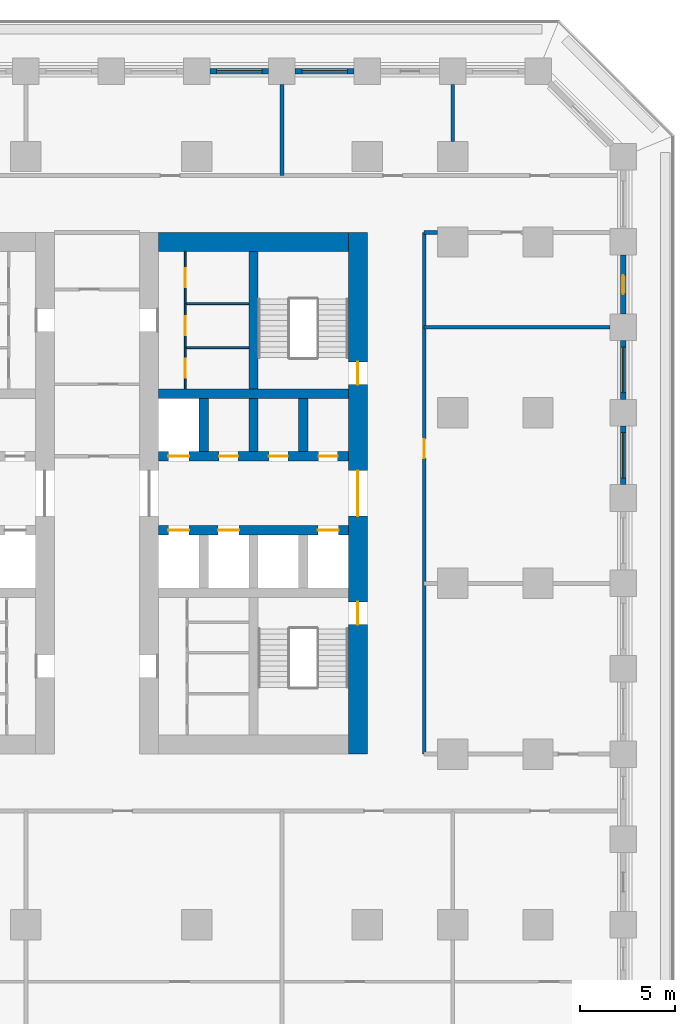
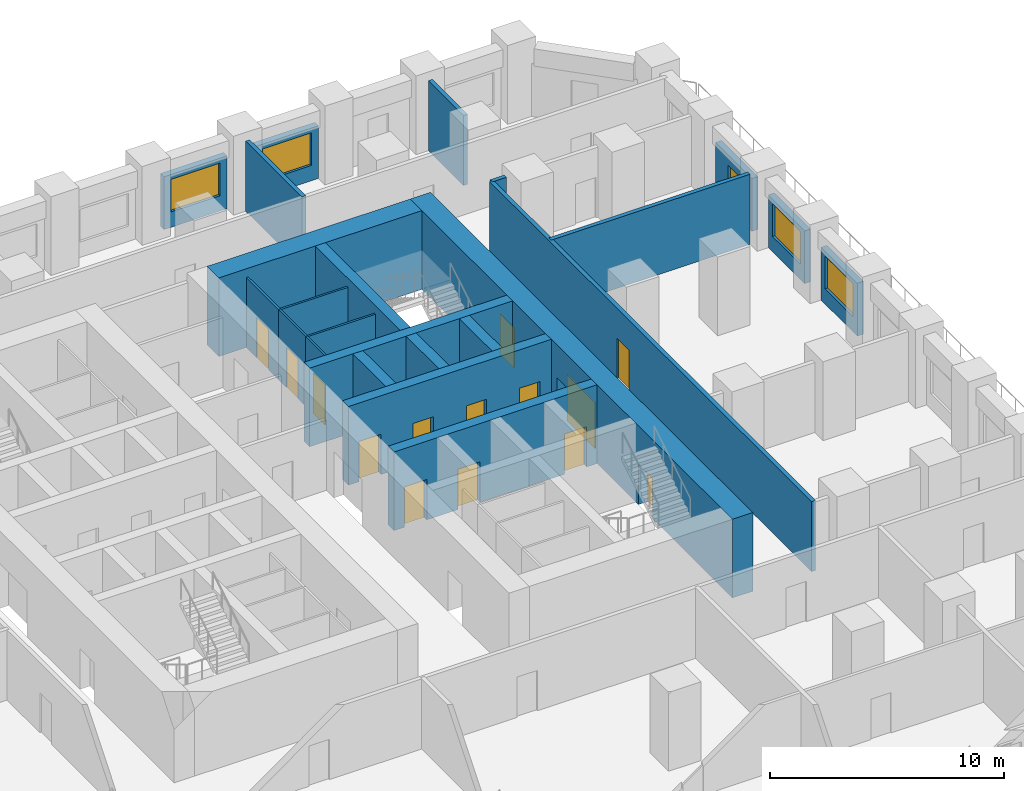
# One storey, part 7 of 11: 24 walls, 15 doors, 4 windows, 19 openings.
"""IFC4 building model written with IfcOpenShell, lengths in metres."""

import ifcopenshell
import ifcopenshell.guid

model = None  # the IFC model being written
_history = None  # IfcOwnerHistory: only IFC2X3 demands one
_inside = {}  # id of a spatial element -> (the spatial element, [elements in it])
_under = {}  # id of a project, library or spatial element -> (it, [spatial elements below it])
_declared = {}  # id of a project -> (the project, [libraries it declares])
_typed = {}  # id of a type object -> (the type object, [elements of that type])
_made_of = {}  # id of a material, layer set ... -> (it, [elements and type objects made of it])


def new_model(schema):
    """Start an empty IFC model of exactly this schema.

    Asked for "IFC4X3", IfcOpenShell would pick the latest addendum, in which some entities
    have other attributes; the version numbers below select the first issue.
    IFC2X3 requires an IfcOwnerHistory on every rooted entity: one is made here for all.
    """
    global model, _history
    if schema == "IFC4X3":
        model = ifcopenshell.file(schema_version=(4, 3, 0, 0))
    else:
        model = ifcopenshell.file(schema=schema)
    _inside.clear()
    _under.clear()
    _declared.clear()
    _typed.clear()
    _made_of.clear()
    _history = None
    if model.schema == "IFC2X3":
        org = make("IfcOrganization", Name="unknown")
        user = make(
            "IfcPersonAndOrganization",
            ThePerson=make("IfcPerson", FamilyName="unknown"),
            TheOrganization=org,
        )
        app = make(
            "IfcApplication",
            ApplicationDeveloper=org,
            Version="unknown",
            ApplicationFullName="unknown",
            ApplicationIdentifier="unknown",
        )
        _history = make(
            "IfcOwnerHistory",
            OwningUser=user,
            OwningApplication=app,
            ChangeAction="ADDED",
            CreationDate=0,
        )
    return model


def make(cls, **values):
    """One entity of the class cls with the attributes given. An attribute that is None is left unset."""
    return model.create_entity(
        cls, **{name: value for name, value in values.items() if value is not None}
    )


def rooted(cls, **values):
    """An entity with a GlobalId (a new one), such as an element, a storey or a relation."""
    return make(cls, GlobalId=ifcopenshell.guid.new(), OwnerHistory=_history, **values)


def si_unit(unit_type, name, prefix=None):
    """IfcSIUnit, for example si_unit("LENGTHUNIT", "METRE", prefix="MILLI")."""
    return make("IfcSIUnit", UnitType=unit_type, Prefix=prefix, Name=name)


def assignment(units):
    """IfcUnitAssignment: the units of a project."""
    return None if units is None else make("IfcUnitAssignment", Units=units)


def point(xyz):
    """IfcCartesianPoint."""
    return None if xyz is None else make("IfcCartesianPoint", Coordinates=xyz)


def direction(xyz):
    """IfcDirection."""
    return None if xyz is None else make("IfcDirection", DirectionRatios=xyz)


def frame(location, z_axis=None, x_axis=None):
    """IfcAxis2Placement3D, a coordinate frame: its origin and axes. An axis left out is left unset."""
    return make(
        "IfcAxis2Placement3D",
        Location=point(location),
        Axis=direction(z_axis),
        RefDirection=direction(x_axis),
    )


def frame_2d(location, x_axis=None):
    """IfcAxis2Placement2D, a coordinate frame in the plane: its origin and x axis."""
    return make(
        "IfcAxis2Placement2D", Location=point(location), RefDirection=direction(x_axis)
    )


def origin():
    """The frame at (0, 0, 0) with its axes left unset."""
    return frame((0.0, 0.0, 0.0))


def place(relative_to, where):
    """IfcLocalPlacement: puts the frame where relative to a parent placement (None: the world)."""
    return make(
        "IfcLocalPlacement", PlacementRelTo=relative_to, RelativePlacement=where
    )


def context(
    kind, dimensions, precision=None, world=None, true_north=None, identifier=None
):
    """IfcGeometricRepresentationContext, for example the 3D "Model" context."""
    return make(
        "IfcGeometricRepresentationContext",
        ContextIdentifier=identifier,
        ContextType=kind,
        CoordinateSpaceDimension=dimensions,
        Precision=precision,
        WorldCoordinateSystem=world,
        TrueNorth=true_north,
    )


def subcontext(parent, identifier, kind, view, scale=None):
    """IfcGeometricRepresentationSubContext, for example "Body" below "Model"."""
    return make(
        "IfcGeometricRepresentationSubContext",
        ContextIdentifier=identifier,
        ContextType=kind,
        ParentContext=parent,
        TargetScale=scale,
        TargetView=view,
    )


def project(units=None, contexts=None):
    """IfcProject with its units and contexts."""
    return rooted(
        "IfcProject",
        Name="project",
        RepresentationContexts=contexts,
        UnitsInContext=assignment(units),
    )


def spatial(cls, under=None, at=None, **own):
    """A site, building, storey or space (cls), placed at a placement, below another one or the project."""
    s = rooted(cls, ObjectPlacement=at, **own)
    if under is not None:
        _under.setdefault(under.id(), (under, []))[1].append(s)
    return s


def profile(cls, at=None, kind="AREA", **sizes):
    """A parametric profile (cls). Its sizes go by their IFC names, for example OverallWidth=200.0."""
    return make(cls, ProfileType=kind, Position=at, **sizes)


def rectangle(**sizes):
    """IfcRectangleProfileDef."""
    return profile("IfcRectangleProfileDef", **sizes)


def extrude(swept, where, along, depth):
    """IfcExtrudedAreaSolid: the profile swept, set in the frame where, extruded along a direction by depth."""
    return make(
        "IfcExtrudedAreaSolid",
        SweptArea=swept,
        Position=where,
        ExtrudedDirection=direction(along),
        Depth=depth,
    )


def shape(context_of_items, identifier, shape_type, items):
    """IfcShapeRepresentation: the items that make up one representation, for example the "Body"."""
    return make(
        "IfcShapeRepresentation",
        ContextOfItems=context_of_items,
        RepresentationIdentifier=identifier,
        RepresentationType=shape_type,
        Items=items,
    )


def material(Name=None, Category=None):
    """IfcMaterial."""
    return make("IfcMaterial", Name=Name, Category=Category)


def layer(
    of_material, thickness, ventilated=None, Name=None, Category=None, Priority=None
):
    """IfcMaterialLayer: one layer of a wall or slab, of a material (None: an air gap)."""
    return make(
        "IfcMaterialLayer",
        Material=of_material,
        LayerThickness=thickness,
        IsVentilated=ventilated,
        Name=Name,
        Category=Category,
        Priority=Priority,
    )


def layer_set(layers, Name=None):
    """IfcMaterialLayerSet."""
    return make("IfcMaterialLayerSet", MaterialLayers=layers, LayerSetName=Name)


def made_of(thing, what):
    """Note that an element or type object is made of a material, layer set ...; save() writes the relation."""
    if what is not None:
        _made_of.setdefault(what.id(), (what, []))[1].append(thing)
    return thing


def type_object(cls, material=None, **own):
    """A type object (cls), such as IfcWallType, which elements share."""
    return made_of(rooted(cls, **own), material)


def element(
    cls,
    number,
    at=None,
    inside=None,
    cuts=None,
    type_object=None,
    material=None,
    context=None,
    identifier="Body",
    shape_type=None,
    held_by="IfcProductDefinitionShape",
    body=None,
    shapes=None,
    **own,
):
    """One element of the class cls, such as IfcWall. Its Tag is "e" and its number.

    at: its placement. inside: the storey or other place that contains it. cuts: it is an
    opening in that element (IfcRelVoidsElement). A single representation is given by context,
    identifier, shape_type and body (its items); several are given by shapes. held_by: the class
    of the entity that holds the representations. save() writes the other relations.
    """
    e = rooted(cls, Tag="e%d" % number, ObjectPlacement=at, **own)
    if body is not None:
        shapes = [shape(context, identifier, shape_type, body)]
    if shapes is not None:
        e.Representation = make(held_by, Representations=shapes)
    if inside is not None:
        _inside.setdefault(inside.id(), (inside, []))[1].append(e)
    if cuts is not None:
        rooted(
            "IfcRelVoidsElement", RelatingBuildingElement=cuts, RelatedOpeningElement=e
        )
    if type_object is not None:
        _typed.setdefault(type_object.id(), (type_object, []))[1].append(e)
    return made_of(e, material)


def fill(opening, filler):
    """IfcRelFillsElement: the door or window that sits in an opening."""
    return rooted(
        "IfcRelFillsElement",
        RelatingOpeningElement=opening,
        RelatedBuildingElement=filler,
    )


def aggregate(whole, parts):
    """IfcRelAggregates: a whole, such as a stair, and the parts it consists of."""
    return rooted("IfcRelAggregates", RelatingObject=whole, RelatedObjects=parts)


def save(model, path):
    """Write the relations noted so far, then the file.

    IfcRelAggregates (storeys below a building ...), IfcRelContainedInSpatialStructure (elements
    in a storey), IfcRelDefinesByType, IfcRelAssociatesMaterial and IfcRelDeclares: one each for
    every whole, place, type object, material and project.
    """
    for whole, parts in _under.values():
        aggregate(whole, parts)
    for where, things in _inside.values():
        rooted(
            "IfcRelContainedInSpatialStructure",
            RelatedElements=things,
            RelatingStructure=where,
        )
    for kind, things in _typed.values():
        rooted("IfcRelDefinesByType", RelatedObjects=things, RelatingType=kind)
    for what, things in _made_of.values():
        rooted("IfcRelAssociatesMaterial", RelatedObjects=things, RelatingMaterial=what)
    for by, libraries in _declared.values():
        rooted("IfcRelDeclares", RelatingContext=by, RelatedDefinitions=libraries)
    model.write(path)


model = new_model("IFC4")

# Units and contexts
model_context = context("Model", 3, precision=1e-05, world=origin(), true_north=direction((0.0, 1.0)))
body_context = subcontext(model_context, "Body", "Model", "MODEL_VIEW")
ifc_project = project(units=[si_unit("LENGTHUNIT", "METRE"), si_unit("AREAUNIT", "SQUARE_METRE"), si_unit("VOLUMEUNIT", "CUBIC_METRE"), si_unit("PLANEANGLEUNIT", "RADIAN"), si_unit("MASSUNIT", "GRAM", prefix="KILO")], contexts=[model_context])

# Site, building, storey
site_placement = place(None, origin())
site = spatial("IfcSite", under=ifc_project, at=site_placement, CompositionType="ELEMENT")
building_placement = place(site_placement, origin())
building = spatial("IfcBuilding", under=site, at=building_placement, Name="Corbel Stack Research Tower", CompositionType="ELEMENT")
storey_placement = place(building_placement, frame((0.0, 0.0, 54.199951171875)))
storey = spatial("IfcBuildingStorey", under=building, at=storey_placement, Name="L12", CompositionType="ELEMENT", Elevation=54.199951171875)

# Wall, openings, doors
ifc_material_1 = material(Name="Concrete C70/85", Category="concrete")
ifc_layer_1 = layer(ifc_material_1, 1.0)
ifc_layer_set_1 = layer_set([ifc_layer_1], Name="Concrete C70/85")
wall_type_1 = type_object("IfcWallType", Name="CW-1000-70", PredefinedType="SHEAR", material=ifc_layer_set_1)
wall_1_placement = place(storey_placement, frame((17.5, -9.0, 0.0), z_axis=(0.0, 0.0, 1.0), x_axis=(0.0, 1.0, 0.0)))
wall_1 = element("IfcWall", 1, at=wall_1_placement, inside=storey, type_object=wall_type_1, Name="East core wall, east face L12", PredefinedType="SHEAR", context=body_context, shape_type="SweptSolid", body=[
    extrude(rectangle(XDim=27.5, YDim=1.0, at=frame_2d((13.75, 0.0))), origin(), (0.0, 0.0, 1.0), 4.10009765625),
])
opening_1_placement = place(wall_1_placement, frame((12.550048828125, 0.0, 0.0)))
opening_1 = element("IfcOpeningElement", 2, at=opening_1_placement, cuts=wall_1, Name="Opening CD-E-E", PredefinedType="OPENING", context=body_context, shape_type="SweptSolid", body=[
    extrude(rectangle(XDim=2.39990234375, YDim=2.39990234375, at=frame_2d((1.199951171875, 1.199951171875))), frame((0.0, 0.510009765625, 0.0), z_axis=(0.0, -1.0, 0.0), x_axis=(1.0, 0.0, 0.0)), (0.0, 0.0, 1.0), 1.02001953125),
])
opening_2_placement = place(wall_1_placement, frame((6.824951171875, 0.0, 0.0)))
opening_2 = element("IfcOpeningElement", 3, at=opening_2_placement, cuts=wall_1, Name="Opening SD-ST-E1", PredefinedType="OPENING", context=body_context, shape_type="SweptSolid", body=[
    extrude(rectangle(XDim=1.199951171875, YDim=2.10009765625, at=frame_2d((0.60009765625, 1.050048828125))), frame((0.0, 0.510009765625, 0.0), z_axis=(0.0, -1.0, 0.0), x_axis=(1.0, 0.0, 0.0)), (0.0, 0.0, 1.0), 1.02001953125),
])
opening_3_placement = place(wall_1_placement, frame((19.47509765625, 0.0, 0.0)))
opening_3 = element("IfcOpeningElement", 4, at=opening_3_placement, cuts=wall_1, Name="Opening SD-ST-E2", PredefinedType="OPENING", context=body_context, shape_type="SweptSolid", body=[
    extrude(rectangle(XDim=1.199951171875, YDim=2.10009765625, at=frame_2d((0.60009765625, 1.050048828125))), frame((0.0, 0.510009765625, 0.0), z_axis=(0.0, -1.0, 0.0), x_axis=(1.0, 0.0, 0.0)), (0.0, 0.0, 1.0), 1.02001953125),
])
ifc_material_2 = material(Name="Painted steel fire door", Category="steel")
door_type_1 = type_object("IfcDoorType", Name="Lobby door pair 2400 x 2400 FD30S", OperationType="DOUBLE_DOOR_DOUBLE_SWING", PredefinedType="DOOR", material=ifc_material_2)
door_1_placement = place(opening_1_placement, origin())
door_1 = element("IfcDoor", 5, at=door_1_placement, inside=storey, type_object=door_type_1, Name="Lift lobby door E core E", OperationType="DOUBLE_DOOR_DOUBLE_SWING", OverallHeight=2.39990234375, OverallWidth=2.39990234375, PredefinedType="DOOR", context=body_context, shape_type="SweptSolid", body=[
    extrude(rectangle(XDim=2.39990234375, YDim=2.39990234375, at=frame_2d((1.199951171875, 1.199951171875))), frame((0.0, 0.02490234375, 0.0), z_axis=(0.0, -1.0, 0.0), x_axis=(1.0, 0.0, 0.0)), (0.0, 0.0, 1.0), 0.050048828125),
])
fill(opening_1, door_1)
ifc_material_3 = material(Name="Painted steel fire door", Category="steel")
door_type_2 = type_object("IfcDoorType", Name="Stair door 1200 x 2100 FD90 right hand", OperationType="SINGLE_SWING_RIGHT", PredefinedType="DOOR", material=ifc_material_3)
door_2_placement = place(opening_2_placement, frame((1.199951171875, 0.0, 0.0), z_axis=(0.0, 0.0, 1.0), x_axis=(-1.0, 0.0, 0.0)))
door_2 = element("IfcDoor", 6, at=door_2_placement, inside=storey, type_object=door_type_2, Name="Stair door ST-E1", OperationType="SINGLE_SWING_LEFT", OverallHeight=2.10009765625, OverallWidth=1.199951171875, PredefinedType="DOOR", context=body_context, shape_type="SweptSolid", body=[
    extrude(rectangle(XDim=1.199951171875, YDim=2.10009765625, at=frame_2d((0.60009765625, 1.050048828125))), frame((0.0, 0.02490234375, 0.0), z_axis=(0.0, -1.0, 0.0), x_axis=(1.0, 0.0, 0.0)), (0.0, 0.0, 1.0), 0.050048828125),
])
fill(opening_2, door_2)
door_3_placement = place(opening_3_placement, frame((1.199951171875, 0.0, 0.0), z_axis=(0.0, 0.0, 1.0), x_axis=(-1.0, 0.0, 0.0)))
door_3 = element("IfcDoor", 7, at=door_3_placement, inside=storey, type_object=door_type_2, Name="Stair door ST-E2", OperationType="SINGLE_SWING_LEFT", OverallHeight=2.10009765625, OverallWidth=1.199951171875, PredefinedType="DOOR", context=body_context, shape_type="SweptSolid", body=[
    extrude(rectangle(XDim=1.199951171875, YDim=2.10009765625, at=frame_2d((0.60009765625, 1.050048828125))), frame((0.0, 0.02490234375, 0.0), z_axis=(0.0, -1.0, 0.0), x_axis=(1.0, 0.0, 0.0)), (0.0, 0.0, 1.0), 0.050048828125),
])
fill(opening_3, door_3)

# Wall
wall_2_placement = place(storey_placement, frame((7.0, 18.0, 0.0), z_axis=(0.0, 0.0, 1.0), x_axis=(1.0, 0.0, 0.0)))
element("IfcWall", 8, at=wall_2_placement, inside=storey, type_object=wall_type_1, Name="East core wall, north end L12", PredefinedType="SHEAR", context=body_context, shape_type="SweptSolid", body=[
    extrude(rectangle(XDim=10.0, YDim=1.0, at=frame_2d((5.0, 0.0))), origin(), (0.0, 0.0, 1.0), 4.10009765625),
])

# Wall, openings, doors
ifc_material_4 = material(Name="Concrete C70/85", Category="concrete")
ifc_layer_2 = layer(ifc_material_4, 0.5)
ifc_layer_set_2 = layer_set([ifc_layer_2], Name="Concrete C70/85")
wall_type_2 = type_object("IfcWallType", Name="CW-500-70", PredefinedType="SHEAR", material=ifc_layer_set_2)
wall_3_placement = place(storey_placement, frame((7.0, 2.800048828125, 0.0), z_axis=(0.0, 0.0, 1.0), x_axis=(1.0, 0.0, 0.0)))
wall_3 = element("IfcWall", 9, at=wall_3_placement, inside=storey, type_object=wall_type_2, Name="East core wall, lobby south L12", PredefinedType="SHEAR", context=body_context, shape_type="SweptSolid", body=[
    extrude(rectangle(XDim=10.0, YDim=0.5, at=frame_2d((5.0, 0.0))), origin(), (0.0, 0.0, 1.0), 4.10009765625),
])
opening_4_placement = place(wall_3_placement, frame((0.512451171875, 0.0, 0.0)))
opening_4 = element("IfcOpeningElement", 10, at=opening_4_placement, cuts=wall_3, Name="Opening LD-FS2", PredefinedType="OPENING", context=body_context, shape_type="SweptSolid", body=[
    extrude(rectangle(XDim=1.10009765625, YDim=2.10009765625, at=frame_2d((0.550048828125, 1.050048828125))), frame((0.0, 0.260009765625, 0.0), z_axis=(0.0, -1.0, 0.0), x_axis=(1.0, 0.0, 0.0)), (0.0, 0.0, 1.0), 0.52001953125),
])
opening_5_placement = place(wall_3_placement, frame((3.137451171875, 0.0, 0.0)))
opening_5 = element("IfcOpeningElement", 11, at=opening_5_placement, cuts=wall_3, Name="Opening LD-GL2", PredefinedType="OPENING", context=body_context, shape_type="SweptSolid", body=[
    extrude(rectangle(XDim=1.10009765625, YDim=2.10009765625, at=frame_2d((0.550048828125, 1.050048828125))), frame((0.0, 0.260009765625, 0.0), z_axis=(0.0, -1.0, 0.0), x_axis=(1.0, 0.0, 0.0)), (0.0, 0.0, 1.0), 0.52001953125),
])
opening_6_placement = place(wall_3_placement, frame((8.387451171875, 0.0, 0.0)))
opening_6 = element("IfcOpeningElement", 12, at=opening_6_placement, cuts=wall_3, Name="Opening LD-LR3", PredefinedType="OPENING", context=body_context, shape_type="SweptSolid", body=[
    extrude(rectangle(XDim=1.10009765625, YDim=2.10009765625, at=frame_2d((0.550048828125, 1.050048828125))), frame((0.0, 0.260009765625, 0.0), z_axis=(0.0, -1.0, 0.0), x_axis=(1.0, 0.0, 0.0)), (0.0, 0.0, 1.0), 0.52001953125),
])
ifc_material_5 = material(Name="Stainless steel landing door", Category="steel")
door_type_3 = type_object("IfcDoorType", Name="Lift landing door 1100 x 2100", OperationType="DOUBLE_DOOR_SLIDING", PredefinedType="DOOR", material=ifc_material_5)
door_4_placement = place(opening_4_placement, origin())
door_4 = element("IfcDoor", 13, at=door_4_placement, inside=storey, type_object=door_type_3, Name="Landing door FS2", OperationType="DOUBLE_DOOR_SLIDING", OverallHeight=2.10009765625, OverallWidth=1.10009765625, PredefinedType="DOOR", context=body_context, shape_type="SweptSolid", body=[
    extrude(rectangle(XDim=1.10009765625, YDim=2.10009765625, at=frame_2d((0.550048828125, 1.050048828125))), frame((0.0, 0.02490234375, 0.0), z_axis=(0.0, -1.0, 0.0), x_axis=(1.0, 0.0, 0.0)), (0.0, 0.0, 1.0), 0.050048828125),
])
fill(opening_4, door_4)
door_5_placement = place(opening_5_placement, origin())
door_5 = element("IfcDoor", 14, at=door_5_placement, inside=storey, type_object=door_type_3, Name="Landing door GL2", OperationType="DOUBLE_DOOR_SLIDING", OverallHeight=2.10009765625, OverallWidth=1.10009765625, PredefinedType="DOOR", context=body_context, shape_type="SweptSolid", body=[
    extrude(rectangle(XDim=1.10009765625, YDim=2.10009765625, at=frame_2d((0.550048828125, 1.050048828125))), frame((0.0, 0.02490234375, 0.0), z_axis=(0.0, -1.0, 0.0), x_axis=(1.0, 0.0, 0.0)), (0.0, 0.0, 1.0), 0.050048828125),
])
fill(opening_5, door_5)
door_6_placement = place(opening_6_placement, origin())
door_6 = element("IfcDoor", 15, at=door_6_placement, inside=storey, type_object=door_type_3, Name="Landing door LR3", OperationType="DOUBLE_DOOR_SLIDING", OverallHeight=2.10009765625, OverallWidth=1.10009765625, PredefinedType="DOOR", context=body_context, shape_type="SweptSolid", body=[
    extrude(rectangle(XDim=1.10009765625, YDim=2.10009765625, at=frame_2d((0.550048828125, 1.050048828125))), frame((0.0, 0.02490234375, 0.0), z_axis=(0.0, -1.0, 0.0), x_axis=(1.0, 0.0, 0.0)), (0.0, 0.0, 1.0), 0.050048828125),
])
fill(opening_6, door_6)

wall_4_placement = place(storey_placement, frame((7.0, 6.699951171875, 0.0), z_axis=(0.0, 0.0, 1.0), x_axis=(1.0, 0.0, 0.0)))
wall_4 = element("IfcWall", 16, at=wall_4_placement, inside=storey, type_object=wall_type_2, Name="East core wall, lobby north L12", PredefinedType="SHEAR", context=body_context, shape_type="SweptSolid", body=[
    extrude(rectangle(XDim=10.0, YDim=0.5, at=frame_2d((5.0, 0.0))), origin(), (0.0, 0.0, 1.0), 4.10009765625),
])
opening_7_placement = place(wall_4_placement, frame((0.512451171875, 0.0, 0.0)))
opening_7 = element("IfcOpeningElement", 17, at=opening_7_placement, cuts=wall_4, Name="Opening LD-LR4", PredefinedType="OPENING", context=body_context, shape_type="SweptSolid", body=[
    extrude(rectangle(XDim=1.10009765625, YDim=2.10009765625, at=frame_2d((0.550048828125, 1.050048828125))), frame((0.0, 0.260009765625, 0.0), z_axis=(0.0, -1.0, 0.0), x_axis=(1.0, 0.0, 0.0)), (0.0, 0.0, 1.0), 0.52001953125),
])
opening_8_placement = place(wall_4_placement, frame((3.1875, 0.0, 0.0)))
opening_8 = element("IfcOpeningElement", 18, at=opening_8_placement, cuts=wall_4, Name="Opening CR-E42-N2", PredefinedType="OPENING", context=body_context, shape_type="SweptSolid", body=[
    extrude(rectangle(XDim=1.0, YDim=2.10009765625, at=frame_2d((0.5, 1.050048828125))), frame((0.0, 0.260009765625, 0.0), z_axis=(0.0, -1.0, 0.0), x_axis=(1.0, 0.0, 0.0)), (0.0, 0.0, 1.0), 0.52001953125),
])
opening_9_placement = place(wall_4_placement, frame((5.8125, 0.0, 0.0)))
opening_9 = element("IfcOpeningElement", 19, at=opening_9_placement, cuts=wall_4, Name="Opening CR-E42-N3", PredefinedType="OPENING", context=body_context, shape_type="SweptSolid", body=[
    extrude(rectangle(XDim=1.0, YDim=2.10009765625, at=frame_2d((0.5, 1.050048828125))), frame((0.0, 0.260009765625, 0.0), z_axis=(0.0, -1.0, 0.0), x_axis=(1.0, 0.0, 0.0)), (0.0, 0.0, 1.0), 0.52001953125),
])
opening_10_placement = place(wall_4_placement, frame((8.4375, 0.0, 0.0)))
opening_10 = element("IfcOpeningElement", 20, at=opening_10_placement, cuts=wall_4, Name="Opening CR-E42-N4", PredefinedType="OPENING", context=body_context, shape_type="SweptSolid", body=[
    extrude(rectangle(XDim=1.0, YDim=2.10009765625, at=frame_2d((0.5, 1.050048828125))), frame((0.0, 0.260009765625, 0.0), z_axis=(0.0, -1.0, 0.0), x_axis=(1.0, 0.0, 0.0)), (0.0, 0.0, 1.0), 0.52001953125),
])
door_7_placement = place(opening_7_placement, origin())
door_7 = element("IfcDoor", 21, at=door_7_placement, inside=storey, type_object=door_type_3, Name="Landing door LR4", OperationType="DOUBLE_DOOR_SLIDING", OverallHeight=2.10009765625, OverallWidth=1.10009765625, PredefinedType="DOOR", context=body_context, shape_type="SweptSolid", body=[
    extrude(rectangle(XDim=1.10009765625, YDim=2.10009765625, at=frame_2d((0.550048828125, 1.050048828125))), frame((0.0, 0.02490234375, 0.0), z_axis=(0.0, -1.0, 0.0), x_axis=(1.0, 0.0, 0.0)), (0.0, 0.0, 1.0), 0.050048828125),
])
fill(opening_7, door_7)
ifc_material_6 = material(Name="Painted steel door", Category="steel")
door_type_4 = type_object("IfcDoorType", Name="Service door 1000 x 2100 FD60 left hand", OperationType="SINGLE_SWING_LEFT", PredefinedType="DOOR", material=ifc_material_6)
door_8_placement = place(opening_9_placement, origin())
door_8 = element("IfcDoor", 22, at=door_8_placement, inside=storey, type_object=door_type_4, Name="Vending bay door E core", OperationType="SINGLE_SWING_LEFT", OverallHeight=2.10009765625, OverallWidth=1.0, PredefinedType="DOOR", context=body_context, shape_type="SweptSolid", body=[
    extrude(rectangle(XDim=1.0, YDim=2.10009765625, at=frame_2d((0.5, 1.050048828125))), frame((0.0, 0.02490234375, 0.0), z_axis=(0.0, -1.0, 0.0), x_axis=(1.0, 0.0, 0.0)), (0.0, 0.0, 1.0), 0.050048828125),
])
fill(opening_9, door_8)
ifc_material_7 = material(Name="Painted steel door", Category="steel")
door_type_5 = type_object("IfcDoorType", Name="Service door 1000 x 2100 FD60 right hand", OperationType="SINGLE_SWING_RIGHT", PredefinedType="DOOR", material=ifc_material_7)
door_9_placement = place(opening_8_placement, origin())
door_9 = element("IfcDoor", 23, at=door_9_placement, inside=storey, type_object=door_type_5, Name="Cleaner's store door E core", OperationType="SINGLE_SWING_RIGHT", OverallHeight=2.10009765625, OverallWidth=1.0, PredefinedType="DOOR", context=body_context, shape_type="SweptSolid", body=[
    extrude(rectangle(XDim=1.0, YDim=2.10009765625, at=frame_2d((0.5, 1.050048828125))), frame((0.0, 0.02490234375, 0.0), z_axis=(0.0, -1.0, 0.0), x_axis=(1.0, 0.0, 0.0)), (0.0, 0.0, 1.0), 0.050048828125),
])
fill(opening_8, door_9)
door_10_placement = place(opening_10_placement, origin())
door_10 = element("IfcDoor", 24, at=door_10_placement, inside=storey, type_object=door_type_5, Name="Mechanical room door E core", OperationType="SINGLE_SWING_RIGHT", OverallHeight=2.10009765625, OverallWidth=1.0, PredefinedType="DOOR", context=body_context, shape_type="SweptSolid", body=[
    extrude(rectangle(XDim=1.0, YDim=2.10009765625, at=frame_2d((0.5, 1.050048828125))), frame((0.0, 0.02490234375, 0.0), z_axis=(0.0, -1.0, 0.0), x_axis=(1.0, 0.0, 0.0)), (0.0, 0.0, 1.0), 0.050048828125),
])
fill(opening_10, door_10)

# Walls
wall_5_placement = place(storey_placement, frame((7.0, 10.0, 0.0), z_axis=(0.0, 0.0, 1.0), x_axis=(1.0, 0.0, 0.0)))
element("IfcWall", 25, at=wall_5_placement, inside=storey, type_object=wall_type_2, Name="East core wall, north row back L12", PredefinedType="SHEAR", context=body_context, shape_type="SweptSolid", body=[
    extrude(rectangle(XDim=10.0, YDim=0.5, at=frame_2d((5.0, 0.0))), origin(), (0.0, 0.0, 1.0), 4.10009765625),
])
for number, where, z_axis, x_axis, name in (
    (26, (9.375, 6.949951171875, 0.0), (0.0, 0.0, 1.0), (0.0, 1.0, 0.0), "East core wall, north shaft 1 L12"),
    (27, (12.0, 6.949951171875, 0.0), (0.0, 0.0, 1.0), (0.0, 1.0, 0.0), "East core wall, north shaft 2 L12"),
    (28, (14.625, 6.949951171875, 0.0), (0.0, 0.0, 1.0), (0.0, 1.0, 0.0), "East core wall, north shaft 3 L12"),
):
    element("IfcWall", number, at=place(storey_placement, frame(where, z_axis=z_axis, x_axis=x_axis)), inside=storey, type_object=wall_type_2, Name=name, PredefinedType="SHEAR", context=body_context, shape_type="SweptSolid", body=[
        extrude(rectangle(XDim=2.800048828125, YDim=0.5, at=frame_2d((1.39990234375, 0.0))), origin(), (0.0, 0.0, 1.0), 4.10009765625),
    ])
wall_6_placement = place(storey_placement, frame((12.0, 10.25, 0.0), z_axis=(0.0, 0.0, 1.0), x_axis=(0.0, 1.0, 0.0)))
element("IfcWall", 29, at=wall_6_placement, inside=storey, type_object=wall_type_2, Name="East core wall, north stair and riser L12", PredefinedType="SHEAR", context=body_context, shape_type="SweptSolid", body=[
    extrude(rectangle(XDim=7.25, YDim=0.5, at=frame_2d((3.625, 0.0))), origin(), (0.0, 0.0, 1.0), 4.10009765625),
])

# Wall, opening, door
ifc_material_8 = material(Name="Gypsum board")
ifc_layer_3 = layer(ifc_material_8, 0.10009765625)
ifc_layer_set_3 = layer_set([ifc_layer_3], Name="Gypsum board")
wall_type_3 = type_object("IfcWallType", Name="Core partition 100", PredefinedType="PARTITIONING", material=ifc_layer_set_3)
wall_7_placement = place(storey_placement, frame((8.39990234375, 10.25, 0.0), z_axis=(0.0, 0.0, 1.0), x_axis=(0.0, 1.0, 0.0)))
wall_7 = element("IfcWall", 30, at=wall_7_placement, inside=storey, type_object=wall_type_3, Name="Core partition E", PredefinedType="PARTITIONING", context=body_context, shape_type="SweptSolid", body=[
    extrude(rectangle(XDim=2.175048828125, YDim=0.10009765625, at=frame_2d((1.08740234375, 0.0))), origin(), (0.0, 0.0, 1.0), 3.650146484375),
])
opening_11_placement = place(wall_7_placement, frame((0.58740234375, 0.0, 0.0)))
opening_11 = element("IfcOpeningElement", 31, at=opening_11_placement, cuts=wall_7, Name="Opening CR-E42-R2-1000", PredefinedType="OPENING", context=body_context, shape_type="SweptSolid", body=[
    extrude(rectangle(XDim=1.0, YDim=2.10009765625, at=frame_2d((0.5, 1.050048828125))), frame((0.0, 0.06005859375, 0.0), z_axis=(0.0, -1.0, 0.0), x_axis=(1.0, 0.0, 0.0)), (0.0, 0.0, 1.0), 0.1201171875),
])
ifc_material_9 = material(Name="Painted steel door", Category="steel")
door_type_6 = type_object("IfcDoorType", Name="Riser door 1000 x 2100 FD60 left hand", OperationType="SINGLE_SWING_LEFT", PredefinedType="DOOR", material=ifc_material_9)
door_11_placement = place(opening_11_placement, origin())
door_11 = element("IfcDoor", 32, at=door_11_placement, inside=storey, type_object=door_type_6, Name="Mechanical riser door E core", OperationType="SINGLE_SWING_LEFT", OverallHeight=2.10009765625, OverallWidth=1.0, PredefinedType="DOOR", context=body_context, shape_type="SweptSolid", body=[
    extrude(rectangle(XDim=1.0, YDim=2.10009765625, at=frame_2d((0.5, 1.050048828125))), frame((0.0, 0.02490234375, 0.0), z_axis=(0.0, -1.0, 0.0), x_axis=(1.0, 0.0, 0.0)), (0.0, 0.0, 1.0), 0.050048828125),
])
fill(opening_11, door_11)

wall_8_placement = place(storey_placement, frame((8.39990234375, 12.425048828125, 0.0), z_axis=(0.0, 0.0, 1.0), x_axis=(0.0, 1.0, 0.0)))
wall_8 = element("IfcWall", 33, at=wall_8_placement, inside=storey, type_object=wall_type_3, Name="Core partition E", PredefinedType="PARTITIONING", context=body_context, shape_type="SweptSolid", body=[
    extrude(rectangle(XDim=2.320068359375, YDim=0.10009765625, at=frame_2d((1.16015625, 0.0))), origin(), (0.0, 0.0, 1.0), 3.650146484375),
])
opening_12_placement = place(wall_8_placement, frame((0.659912109375, 0.0, 0.0)))
opening_12 = element("IfcOpeningElement", 34, at=opening_12_placement, cuts=wall_8, Name="Opening CR-E42-R3-1000", PredefinedType="OPENING", context=body_context, shape_type="SweptSolid", body=[
    extrude(rectangle(XDim=1.0, YDim=2.10009765625, at=frame_2d((0.5, 1.050048828125))), frame((0.0, 0.06005859375, 0.0), z_axis=(0.0, -1.0, 0.0), x_axis=(1.0, 0.0, 0.0)), (0.0, 0.0, 1.0), 0.1201171875),
])
ifc_material_10 = material(Name="Painted steel door", Category="steel")
door_type_7 = type_object("IfcDoorType", Name="Service door 1000 x 2100 FD30 right hand", OperationType="SINGLE_SWING_RIGHT", PredefinedType="DOOR", material=ifc_material_10)
door_12_placement = place(opening_12_placement, origin())
door_12 = element("IfcDoor", 35, at=door_12_placement, inside=storey, type_object=door_type_7, Name="Pantry door E core", OperationType="SINGLE_SWING_RIGHT", OverallHeight=2.10009765625, OverallWidth=1.0, PredefinedType="DOOR", context=body_context, shape_type="SweptSolid", body=[
    extrude(rectangle(XDim=1.0, YDim=2.10009765625, at=frame_2d((0.5, 1.050048828125))), frame((0.0, 0.02490234375, 0.0), z_axis=(0.0, -1.0, 0.0), x_axis=(1.0, 0.0, 0.0)), (0.0, 0.0, 1.0), 0.050048828125),
])
fill(opening_12, door_12)

wall_9_placement = place(storey_placement, frame((8.39990234375, 14.7451171875, 0.0), z_axis=(0.0, 0.0, 1.0), x_axis=(0.0, 1.0, 0.0)))
wall_9 = element("IfcWall", 36, at=wall_9_placement, inside=storey, type_object=wall_type_3, Name="Core partition E", PredefinedType="PARTITIONING", context=body_context, shape_type="SweptSolid", body=[
    extrude(rectangle(XDim=2.7548828125, YDim=0.10009765625, at=frame_2d((1.37744140625, 0.0))), origin(), (0.0, 0.0, 1.0), 3.650146484375),
])
opening_13_placement = place(wall_9_placement, frame((0.87744140625, 0.0, 0.0)))
opening_13 = element("IfcOpeningElement", 37, at=opening_13_placement, cuts=wall_9, Name="Opening CR-E42-R4-1000", PredefinedType="OPENING", context=body_context, shape_type="SweptSolid", body=[
    extrude(rectangle(XDim=1.0, YDim=2.10009765625, at=frame_2d((0.5, 1.050048828125))), frame((0.0, 0.06005859375, 0.0), z_axis=(0.0, -1.0, 0.0), x_axis=(1.0, 0.0, 0.0)), (0.0, 0.0, 1.0), 0.1201171875),
])
door_13_placement = place(opening_13_placement, origin())
door_13 = element("IfcDoor", 38, at=door_13_placement, inside=storey, type_object=door_type_6, Name="Electrical riser door E core", OperationType="SINGLE_SWING_LEFT", OverallHeight=2.10009765625, OverallWidth=1.0, PredefinedType="DOOR", context=body_context, shape_type="SweptSolid", body=[
    extrude(rectangle(XDim=1.0, YDim=2.10009765625, at=frame_2d((0.5, 1.050048828125))), frame((0.0, 0.02490234375, 0.0), z_axis=(0.0, -1.0, 0.0), x_axis=(1.0, 0.0, 0.0)), (0.0, 0.0, 1.0), 0.050048828125),
])
fill(opening_13, door_13)

# Walls
for number, where, z_axis, x_axis, name in (
    (39, (8.39990234375, 12.425048828125, 0.0), (0.0, 0.0, 1.0), (1.0, 0.0, 0.0), "Core partition E"),
    (40, (8.39990234375, 14.7451171875, 0.0), (0.0, 0.0, 1.0), (1.0, 0.0, 0.0), "Core partition E"),
):
    element("IfcWall", number, at=place(storey_placement, frame(where, z_axis=z_axis, x_axis=x_axis)), inside=storey, type_object=wall_type_3, Name=name, PredefinedType="PARTITIONING", context=body_context, shape_type="SweptSolid", body=[
        extrude(rectangle(XDim=3.35009765625, YDim=0.10009765625, at=frame_2d((1.675048828125, 0.0))), origin(), (0.0, 0.0, 1.0), 3.650146484375),
    ])
ifc_material_11 = material(Name="Fire-rated gypsum board partition on steel studs", Category="steel")
ifc_layer_4 = layer(ifc_material_11, 0.199951171875)
ifc_layer_set_4 = layer_set([ifc_layer_4], Name="Fire-rated gypsum board partition on steel studs")
wall_type_4 = type_object("IfcWallType", Name="Fire-rated partition 200 EI 60", PredefinedType="PARTITIONING", material=ifc_layer_set_4)
wall_10_placement = place(storey_placement, frame((13.5, 21.5, 0.0), z_axis=(0.0, 0.0, 1.0), x_axis=(0.0, 1.0, 0.0)))
element("IfcWall", 41, at=wall_10_placement, inside=storey, type_object=wall_type_4, Name="Partition L12-008", PredefinedType="PARTITIONING", context=body_context, shape_type="SweptSolid", body=[
    extrude(rectangle(XDim=4.800048828125, YDim=0.199951171875, at=frame_2d((2.39990234375, 0.0))), origin(), (0.0, 0.0, 1.0), 3.650146484375),
])

# Wall, opening, door
wall_11_placement = place(storey_placement, frame((21.0, 18.5, 0.0), z_axis=(0.0, 0.0, 1.0), x_axis=(0.0, -1.0, 0.0)))
wall_11 = element("IfcWall", 42, at=wall_11_placement, inside=storey, type_object=wall_type_4, Name="Partition L12-009", PredefinedType="PARTITIONING", context=body_context, shape_type="SweptSolid", body=[
    extrude(rectangle(XDim=27.5, YDim=0.199951171875, at=frame_2d((13.75, 0.0))), origin(), (0.0, 0.0, 1.0), 3.650146484375),
])
opening_14_placement = place(wall_11_placement, frame((10.89990234375, 0.0, 0.0)))
opening_14 = element("IfcOpeningElement", 43, at=opening_14_placement, cuts=wall_11, Name="Opening B2V1-019", PredefinedType="OPENING", context=body_context, shape_type="SweptSolid", body=[
    extrude(rectangle(XDim=1.0, YDim=2.10009765625, at=frame_2d((0.5, 1.050048828125))), frame((0.0, 0.10986328125, 0.0), z_axis=(0.0, -1.0, 0.0), x_axis=(1.0, 0.0, 0.0)), (0.0, 0.0, 1.0), 0.219970703125),
])
ifc_material_12 = material(Name="Painted steel fire door", Category="steel")
door_type_8 = type_object("IfcDoorType", Name="Fire door FD30S 1000 x 2100", OperationType="NOTDEFINED", PredefinedType="DOOR", material=ifc_material_12)
door_14_placement = place(opening_14_placement, origin())
door_14 = element("IfcDoor", 44, at=door_14_placement, inside=storey, type_object=door_type_8, Name="Door B2V1-019", OperationType="SINGLE_SWING_LEFT", OverallHeight=2.10009765625, OverallWidth=1.0, PredefinedType="DOOR", context=body_context, shape_type="SweptSolid", body=[
    extrude(rectangle(XDim=1.0, YDim=2.10009765625, at=frame_2d((0.5, 1.050048828125))), frame((0.0, 0.02490234375, 0.0), z_axis=(0.0, -1.0, 0.0), x_axis=(1.0, 0.0, 0.0)), (0.0, 0.0, 1.0), 0.050048828125),
])
fill(opening_14, door_14)

# Walls
wall_12_placement = place(storey_placement, frame((22.5, 23.300048828125, 0.0), z_axis=(0.0, 0.0, 1.0), x_axis=(0.0, 1.0, 0.0)))
element("IfcWall", 45, at=wall_12_placement, inside=storey, type_object=wall_type_4, Name="Partition L12-012", PredefinedType="PARTITIONING", context=body_context, shape_type="SweptSolid", body=[
    extrude(rectangle(XDim=3.0, YDim=0.199951171875, at=frame_2d((1.5, 0.0))), origin(), (0.0, 0.0, 1.0), 3.650146484375),
])
wall_13_placement = place(storey_placement, frame((21.0, 13.5, 0.0), z_axis=(0.0, 0.0, 1.0), x_axis=(1.0, 0.0, 0.0)))
element("IfcWall", 46, at=wall_13_placement, inside=storey, type_object=wall_type_4, Name="Partition L12-028", PredefinedType="PARTITIONING", context=body_context, shape_type="SweptSolid", body=[
    extrude(rectangle(XDim=9.800048828125, YDim=0.199951171875, at=frame_2d((4.89990234375, 0.0))), origin(), (0.0, 0.0, 1.0), 3.650146484375),
])
wall_14_placement = place(storey_placement, frame((21.0, 18.5, 0.0), z_axis=(0.0, 0.0, 1.0), x_axis=(1.0, 0.0, 0.0)))
element("IfcWall", 47, at=wall_14_placement, inside=storey, type_object=wall_type_4, Name="Partition L12-033", PredefinedType="PARTITIONING", context=body_context, shape_type="SweptSolid", body=[
    extrude(rectangle(XDim=0.699951171875, YDim=0.199951171875, at=frame_2d((0.35009765625, 0.0))), origin(), (0.0, 0.0, 1.0), 3.650146484375),
])

# Wall, opening, window
ifc_material_13 = material(Name="Concrete C45/55", Category="concrete")
ifc_layer_5 = layer(ifc_material_13, 0.300048828125)
ifc_layer_set_5 = layer_set([ifc_layer_5], Name="Concrete C45/55")
wall_type_5 = type_object("IfcWallType", Name="Terracotta-faced concrete wall 300", PredefinedType="SOLIDWALL", material=ifc_layer_set_5)
wall_15_placement = place(storey_placement, frame((31.5, 8.300048828125, 0.0), z_axis=(0.0, 0.0, 1.0), x_axis=(0.0, -1.0, 0.0)))
wall_15 = element("IfcWall", 48, at=wall_15_placement, inside=storey, type_object=wall_type_5, Name="Facade wall L12 E07", PredefinedType="SOLIDWALL", context=body_context, shape_type="SweptSolid", body=[
    extrude(rectangle(XDim=3.10009765625, YDim=0.300048828125, at=frame_2d((1.550048828125, 0.0))), origin(), (0.0, 0.0, 1.0), 2.75),
])
opening_15_placement = place(wall_15_placement, frame((0.35009765625, 0.0, 0.800048828125)))
opening_15 = element("IfcOpeningElement", 49, at=opening_15_placement, cuts=wall_15, Name="Opening W1", PredefinedType="OPENING", context=body_context, shape_type="SweptSolid", body=[
    extrude(rectangle(XDim=2.39990234375, YDim=1.699951171875, at=frame_2d((1.199951171875, 0.85009765625))), frame((0.0, 0.159912109375, 0.0), z_axis=(0.0, -1.0, 0.0), x_axis=(1.0, 0.0, 0.0)), (0.0, 0.0, 1.0), 0.320068359375),
])
ifc_material_14 = material(Name="Aluminium frame, clear double glazing", Category="aluminium")
window_type = type_object("IfcWindowType", Name="Window W1 2400 x 1700", PartitioningType="SINGLE_PANEL", PredefinedType="WINDOW", material=ifc_material_14)
window_1_placement = place(opening_15_placement, origin())
window_1 = element("IfcWindow", 50, at=window_1_placement, inside=storey, type_object=window_type, Name="Window W1 L12 E07", OverallHeight=1.699951171875, OverallWidth=2.39990234375, PartitioningType="SINGLE_PANEL", PredefinedType="WINDOW", context=body_context, shape_type="SweptSolid", body=[
    extrude(rectangle(XDim=2.39990234375, YDim=1.699951171875, at=frame_2d((1.199951171875, 0.85009765625))), frame((0.0, 0.030029296875, 0.0), z_axis=(0.0, -1.0, 0.0), x_axis=(1.0, 0.0, 0.0)), (0.0, 0.0, 1.0), 0.06005859375),
])
fill(opening_15, window_1)

wall_16_placement = place(storey_placement, frame((31.5, 12.800048828125, 0.0), z_axis=(0.0, 0.0, 1.0), x_axis=(0.0, -1.0, 0.0)))
wall_16 = element("IfcWall", 51, at=wall_16_placement, inside=storey, type_object=wall_type_5, Name="Facade wall L12 E08", PredefinedType="SOLIDWALL", context=body_context, shape_type="SweptSolid", body=[
    extrude(rectangle(XDim=3.10009765625, YDim=0.300048828125, at=frame_2d((1.550048828125, 0.0))), origin(), (0.0, 0.0, 1.0), 2.75),
])
opening_16_placement = place(wall_16_placement, frame((0.35009765625, 0.0, 0.800048828125)))
opening_16 = element("IfcOpeningElement", 52, at=opening_16_placement, cuts=wall_16, Name="Opening W1", PredefinedType="OPENING", context=body_context, shape_type="SweptSolid", body=[
    extrude(rectangle(XDim=2.39990234375, YDim=1.699951171875, at=frame_2d((1.199951171875, 0.85009765625))), frame((0.0, 0.159912109375, 0.0), z_axis=(0.0, -1.0, 0.0), x_axis=(1.0, 0.0, 0.0)), (0.0, 0.0, 1.0), 0.320068359375),
])
window_2_placement = place(opening_16_placement, origin())
window_2 = element("IfcWindow", 53, at=window_2_placement, inside=storey, type_object=window_type, Name="Window W1 L12 E08", OverallHeight=1.699951171875, OverallWidth=2.39990234375, PartitioningType="SINGLE_PANEL", PredefinedType="WINDOW", context=body_context, shape_type="SweptSolid", body=[
    extrude(rectangle(XDim=2.39990234375, YDim=1.699951171875, at=frame_2d((1.199951171875, 0.85009765625))), frame((0.0, 0.030029296875, 0.0), z_axis=(0.0, -1.0, 0.0), x_axis=(1.0, 0.0, 0.0)), (0.0, 0.0, 1.0), 0.06005859375),
])
fill(opening_16, window_2)

# Wall, opening, door
wall_17_placement = place(storey_placement, frame((31.5, 17.300048828125, 0.0), z_axis=(0.0, 0.0, 1.0), x_axis=(0.0, -1.0, 0.0)))
wall_17 = element("IfcWall", 54, at=wall_17_placement, inside=storey, type_object=wall_type_5, Name="Facade wall L12 E09", PredefinedType="SOLIDWALL", context=body_context, shape_type="SweptSolid", body=[
    extrude(rectangle(XDim=3.10009765625, YDim=0.300048828125, at=frame_2d((1.550048828125, 0.0))), origin(), (0.0, 0.0, 1.0), 2.75),
])
opening_17_placement = place(wall_17_placement, frame((1.050048828125, 0.0, 0.0)))
opening_17 = element("IfcOpeningElement", 55, at=opening_17_placement, cuts=wall_17, Name="Opening L12-B05", PredefinedType="OPENING", context=body_context, shape_type="SweptSolid", body=[
    extrude(rectangle(XDim=1.0, YDim=2.199951171875, at=frame_2d((0.5, 1.10009765625))), frame((0.0, 0.159912109375, 0.0), z_axis=(0.0, -1.0, 0.0), x_axis=(1.0, 0.0, 0.0)), (0.0, 0.0, 1.0), 0.320068359375),
])
ifc_material_15 = material(Name="Aluminium frame, clear double glazing", Category="aluminium")
door_type_9 = type_object("IfcDoorType", Name="Balcony door BD1 1000 x 2200", OperationType="NOTDEFINED", PredefinedType="DOOR", material=ifc_material_15)
door_15_placement = place(opening_17_placement, origin())
door_15 = element("IfcDoor", 56, at=door_15_placement, inside=storey, type_object=door_type_9, Name="Balcony door L12-B05", OperationType="SINGLE_SWING_LEFT", OverallHeight=2.199951171875, OverallWidth=1.0, PredefinedType="DOOR", context=body_context, shape_type="SweptSolid", body=[
    extrude(rectangle(XDim=1.0, YDim=2.199951171875, at=frame_2d((0.5, 1.10009765625))), frame((0.0, 0.02490234375, 0.0), z_axis=(0.0, -1.0, 0.0), x_axis=(1.0, 0.0, 0.0)), (0.0, 0.0, 1.0), 0.050048828125),
])
fill(opening_17, door_15)

# Wall, opening, window
wall_18_placement = place(storey_placement, frame((14.199951171875, 27.0, 0.0), z_axis=(0.0, 0.0, 1.0), x_axis=(1.0, 0.0, 0.0)))
wall_18 = element("IfcWall", 57, at=wall_18_placement, inside=storey, type_object=wall_type_5, Name="Facade wall L12 N03", PredefinedType="SOLIDWALL", context=body_context, shape_type="SweptSolid", body=[
    extrude(rectangle(XDim=3.10009765625, YDim=0.300048828125, at=frame_2d((1.550048828125, 0.0))), origin(), (0.0, 0.0, 1.0), 2.75),
])
opening_18_placement = place(wall_18_placement, frame((0.35009765625, 0.0, 0.800048828125)))
opening_18 = element("IfcOpeningElement", 58, at=opening_18_placement, cuts=wall_18, Name="Opening W1", PredefinedType="OPENING", context=body_context, shape_type="SweptSolid", body=[
    extrude(rectangle(XDim=2.39990234375, YDim=1.699951171875, at=frame_2d((1.199951171875, 0.85009765625))), frame((0.0, 0.159912109375, 0.0), z_axis=(0.0, -1.0, 0.0), x_axis=(1.0, 0.0, 0.0)), (0.0, 0.0, 1.0), 0.320068359375),
])
window_3_placement = place(opening_18_placement, origin())
window_3 = element("IfcWindow", 59, at=window_3_placement, inside=storey, type_object=window_type, Name="Window W1 L12 N03", OverallHeight=1.699951171875, OverallWidth=2.39990234375, PartitioningType="SINGLE_PANEL", PredefinedType="WINDOW", context=body_context, shape_type="SweptSolid", body=[
    extrude(rectangle(XDim=2.39990234375, YDim=1.699951171875, at=frame_2d((1.199951171875, 0.85009765625))), frame((0.0, 0.030029296875, 0.0), z_axis=(0.0, -1.0, 0.0), x_axis=(1.0, 0.0, 0.0)), (0.0, 0.0, 1.0), 0.06005859375),
])
fill(opening_18, window_3)

wall_19_placement = place(storey_placement, frame((9.699951171875, 27.0, 0.0), z_axis=(0.0, 0.0, 1.0), x_axis=(1.0, 0.0, 0.0)))
wall_19 = element("IfcWall", 60, at=wall_19_placement, inside=storey, type_object=wall_type_5, Name="Facade wall L12 N04", PredefinedType="SOLIDWALL", context=body_context, shape_type="SweptSolid", body=[
    extrude(rectangle(XDim=3.10009765625, YDim=0.300048828125, at=frame_2d((1.550048828125, 0.0))), origin(), (0.0, 0.0, 1.0), 2.75),
])
opening_19_placement = place(wall_19_placement, frame((0.35009765625, 0.0, 0.800048828125)))
opening_19 = element("IfcOpeningElement", 61, at=opening_19_placement, cuts=wall_19, Name="Opening W1", PredefinedType="OPENING", context=body_context, shape_type="SweptSolid", body=[
    extrude(rectangle(XDim=2.39990234375, YDim=1.699951171875, at=frame_2d((1.199951171875, 0.85009765625))), frame((0.0, 0.159912109375, 0.0), z_axis=(0.0, -1.0, 0.0), x_axis=(1.0, 0.0, 0.0)), (0.0, 0.0, 1.0), 0.320068359375),
])
window_4_placement = place(opening_19_placement, origin())
window_4 = element("IfcWindow", 62, at=window_4_placement, inside=storey, type_object=window_type, Name="Window W1 L12 N04", OverallHeight=1.699951171875, OverallWidth=2.39990234375, PartitioningType="SINGLE_PANEL", PredefinedType="WINDOW", context=body_context, shape_type="SweptSolid", body=[
    extrude(rectangle(XDim=2.39990234375, YDim=1.699951171875, at=frame_2d((1.199951171875, 0.85009765625))), frame((0.0, 0.030029296875, 0.0), z_axis=(0.0, -1.0, 0.0), x_axis=(1.0, 0.0, 0.0)), (0.0, 0.0, 1.0), 0.06005859375),
])
fill(opening_19, window_4)

save(model, "model.ifc")
